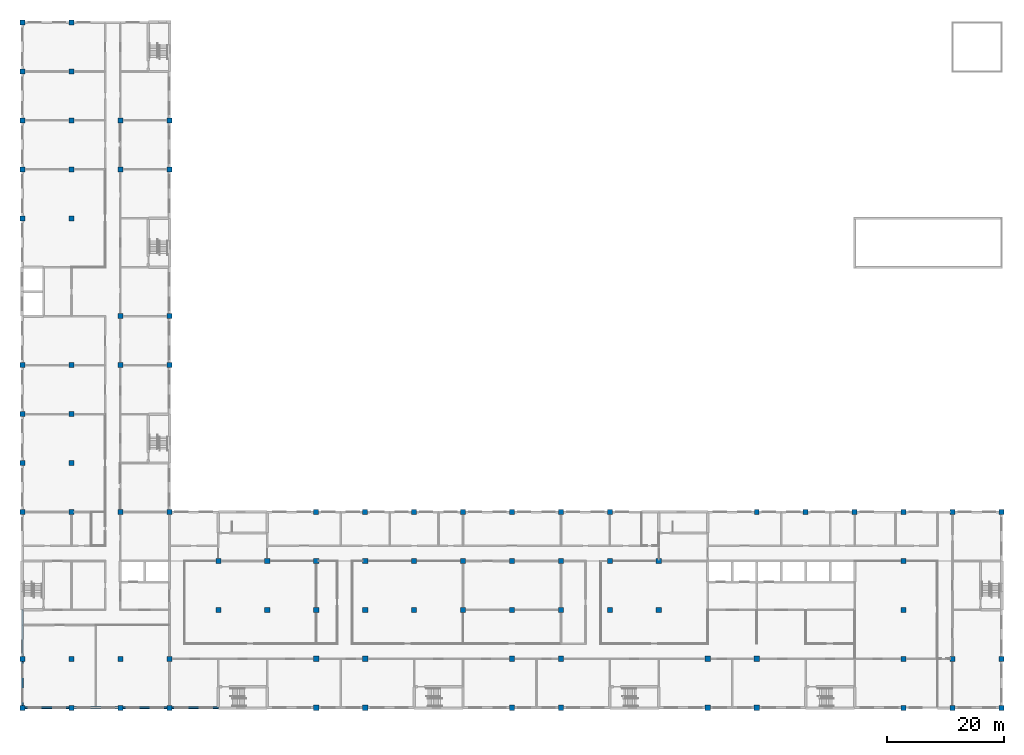
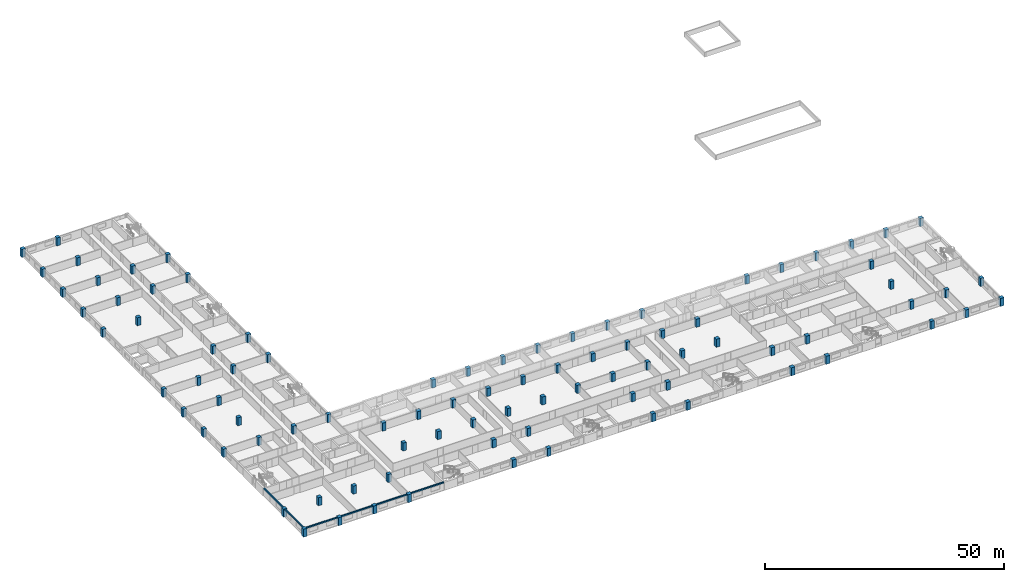
# One storey, part 1 of 48: 89 columns, 6 beams.
"""IFC4 building model written with IfcOpenShell, lengths in metres."""

from ifc_helpers import new_model, si_unit, direction, frame, origin, origin_2d, place, context, subcontext, project, spatial, rectangle, extrude, material, material_profile, profile_set, type_object, element, save


model = new_model("IFC4")

# Units and contexts
model_context = context("Model", 3, precision=1e-05, world=origin(), true_north=direction((0.0, 1.0)))
body_context = subcontext(model_context, "Body", "Model", "MODEL_VIEW")
ifc_project = project(units=[si_unit("LENGTHUNIT", "METRE"), si_unit("AREAUNIT", "SQUARE_METRE"), si_unit("VOLUMEUNIT", "CUBIC_METRE"), si_unit("PLANEANGLEUNIT", "RADIAN"), si_unit("MASSUNIT", "GRAM", prefix="KILO")], contexts=[model_context])

# Site, building, storey
site_placement = place(None, origin())
site = spatial("IfcSite", under=ifc_project, at=site_placement, CompositionType="ELEMENT")
building_placement = place(site_placement, origin())
building = spatial("IfcBuilding", under=site, at=building_placement, Name="Yavir Park General Hospital", CompositionType="ELEMENT")
storey_placement = place(building_placement, frame((0.0, 0.0, 12.89990234375)))
storey = spatial("IfcBuildingStorey", under=building, at=storey_placement, Name="I02", CompositionType="ELEMENT", Elevation=12.89990234375)

# Columns
ifc_material_1 = material(Name="Concrete C40/50", Category="concrete")
ifc_material_profile_1 = material_profile(ifc_material_1, rectangle(XDim=0.85009765625, YDim=0.85009765625, at=origin_2d()), Name="RC850x850")
ifc_profile_set_1 = profile_set([ifc_material_profile_1], Name="Concrete C40/50")
column_type_1 = type_object("IfcColumnType", Name="RC COLUMN 850x850", PredefinedType="COLUMN", material=ifc_profile_set_1)
for number, where, z_axis, x_axis, name in (
    (1, (0.0, 0.0, 0.0), (0.0, 0.0, 1.0), (1.0, 0.0, 0.0), "C:I02:1A"),
    (2, (8.39990234375, 0.0, 0.0), (0.0, 0.0, 1.0), (1.0, 0.0, 0.0), "C:I02:2A"),
    (3, (16.800048828125, 0.0, 0.0), (0.0, 0.0, 1.0), (1.0, 0.0, 0.0), "C:I02:3A"),
    (4, (25.199951171875, 0.0, 0.0), (0.0, 0.0, 1.0), (1.0, 0.0, 0.0), "C:I02:4A"),
    (5, (151.199951171875, 0.0, 0.0), (0.0, 0.0, 1.0), (1.0, 0.0, 0.0), "C:I02:19A"),
    (6, (159.60009765625, 0.0, 0.0), (0.0, 0.0, 1.0), (1.0, 0.0, 0.0), "C:I02:20A"),
    (7, (168.0, 0.0, 0.0), (0.0, 0.0, 1.0), (1.0, 0.0, 0.0), "C:I02:21A"),
    (8, (0.0, 8.39990234375, 0.0), (0.0, 0.0, 1.0), (1.0, 0.0, 0.0), "C:I02:1B"),
    (9, (8.39990234375, 8.39990234375, 0.0), (0.0, 0.0, 1.0), (1.0, 0.0, 0.0), "C:I02:2B"),
    (10, (16.800048828125, 8.39990234375, 0.0), (0.0, 0.0, 1.0), (1.0, 0.0, 0.0), "C:I02:3B"),
    (11, (25.199951171875, 8.39990234375, 0.0), (0.0, 0.0, 1.0), (1.0, 0.0, 0.0), "C:I02:4B"),
    (12, (151.199951171875, 8.39990234375, 0.0), (0.0, 0.0, 1.0), (1.0, 0.0, 0.0), "C:I02:19B"),
    (13, (159.60009765625, 8.39990234375, 0.0), (0.0, 0.0, 1.0), (1.0, 0.0, 0.0), "C:I02:20B"),
    (14, (168.0, 8.39990234375, 0.0), (0.0, 0.0, 1.0), (1.0, 0.0, 0.0), "C:I02:21B"),
    (15, (33.60009765625, 16.800048828125, 0.0), (0.0, 0.0, 1.0), (1.0, 0.0, 0.0), "C:I02:5C"),
    (16, (151.199951171875, 16.800048828125, 0.0), (0.0, 0.0, 1.0), (1.0, 0.0, 0.0), "C:I02:19C"),
    (17, (151.199951171875, 25.199951171875, 0.0), (0.0, 0.0, 1.0), (1.0, 0.0, 0.0), "C:I02:19D"),
    (18, (0.0, 33.60009765625, 0.0), (0.0, 0.0, 1.0), (1.0, 0.0, 0.0), "C:I02:1E"),
    (19, (8.39990234375, 33.60009765625, 0.0), (0.0, 0.0, 1.0), (1.0, 0.0, 0.0), "C:I02:2E"),
    (20, (16.800048828125, 33.60009765625, 0.0), (0.0, 0.0, 1.0), (1.0, 0.0, 0.0), "C:I02:3E"),
    (21, (25.199951171875, 33.60009765625, 0.0), (0.0, 0.0, 1.0), (1.0, 0.0, 0.0), "C:I02:4E"),
    (22, (50.39990234375, 33.60009765625, 0.0), (0.0, 0.0, 1.0), (1.0, 0.0, 0.0), "C:I02:7E"),
    (23, (58.800048828125, 33.60009765625, 0.0), (0.0, 0.0, 1.0), (1.0, 0.0, 0.0), "C:I02:8E"),
    (24, (67.199951171875, 33.60009765625, 0.0), (0.0, 0.0, 1.0), (1.0, 0.0, 0.0), "C:I02:9E"),
    (25, (75.60009765625, 33.60009765625, 0.0), (0.0, 0.0, 1.0), (1.0, 0.0, 0.0), "C:I02:10E"),
    (26, (84.0, 33.60009765625, 0.0), (0.0, 0.0, 1.0), (1.0, 0.0, 0.0), "C:I02:11E"),
    (27, (92.39990234375, 33.60009765625, 0.0), (0.0, 0.0, 1.0), (1.0, 0.0, 0.0), "C:I02:12E"),
    (28, (100.800048828125, 33.60009765625, 0.0), (0.0, 0.0, 1.0), (1.0, 0.0, 0.0), "C:I02:13E"),
    (29, (126.0, 33.60009765625, 0.0), (0.0, 0.0, 1.0), (1.0, 0.0, 0.0), "C:I02:16E"),
    (30, (134.39990234375, 33.60009765625, 0.0), (0.0, 0.0, 1.0), (1.0, 0.0, 0.0), "C:I02:17E"),
    (31, (142.800048828125, 33.60009765625, 0.0), (0.0, 0.0, 1.0), (1.0, 0.0, 0.0), "C:I02:18E"),
    (32, (151.199951171875, 33.60009765625, 0.0), (0.0, 0.0, 1.0), (1.0, 0.0, 0.0), "C:I02:19E"),
    (33, (159.60009765625, 33.60009765625, 0.0), (0.0, 0.0, 1.0), (1.0, 0.0, 0.0), "C:I02:20E"),
    (34, (168.0, 33.60009765625, 0.0), (0.0, 0.0, 1.0), (1.0, 0.0, 0.0), "C:I02:21E"),
    (35, (0.0, 42.0, 0.0), (0.0, 0.0, 1.0), (1.0, 0.0, 0.0), "C:I02:1F"),
    (36, (8.39990234375, 42.0, 0.0), (0.0, 0.0, 1.0), (1.0, 0.0, 0.0), "C:I02:2F"),
    (37, (0.0, 50.39990234375, 0.0), (0.0, 0.0, 1.0), (1.0, 0.0, 0.0), "C:I02:1G"),
    (38, (8.39990234375, 50.39990234375, 0.0), (0.0, 0.0, 1.0), (1.0, 0.0, 0.0), "C:I02:2G"),
    (39, (0.0, 58.800048828125, 0.0), (0.0, 0.0, 1.0), (1.0, 0.0, 0.0), "C:I02:1H"),
    (40, (8.39990234375, 58.800048828125, 0.0), (0.0, 0.0, 1.0), (1.0, 0.0, 0.0), "C:I02:2H"),
    (41, (16.800048828125, 58.800048828125, 0.0), (0.0, 0.0, 1.0), (1.0, 0.0, 0.0), "C:I02:3H"),
    (42, (25.199951171875, 58.800048828125, 0.0), (0.0, 0.0, 1.0), (1.0, 0.0, 0.0), "C:I02:4H"),
    (43, (16.800048828125, 67.199951171875, 0.0), (0.0, 0.0, 1.0), (1.0, 0.0, 0.0), "C:I02:3J"),
    (44, (25.199951171875, 67.199951171875, 0.0), (0.0, 0.0, 1.0), (1.0, 0.0, 0.0), "C:I02:4J"),
    (45, (0.0, 84.0, 0.0), (0.0, 0.0, 1.0), (1.0, 0.0, 0.0), "C:I02:1L"),
    (46, (8.39990234375, 84.0, 0.0), (0.0, 0.0, 1.0), (1.0, 0.0, 0.0), "C:I02:2L"),
    (47, (0.0, 92.39990234375, 0.0), (0.0, 0.0, 1.0), (1.0, 0.0, 0.0), "C:I02:1M"),
    (48, (8.39990234375, 92.39990234375, 0.0), (0.0, 0.0, 1.0), (1.0, 0.0, 0.0), "C:I02:2M"),
    (49, (16.800048828125, 92.39990234375, 0.0), (0.0, 0.0, 1.0), (1.0, 0.0, 0.0), "C:I02:3M"),
    (50, (25.199951171875, 92.39990234375, 0.0), (0.0, 0.0, 1.0), (1.0, 0.0, 0.0), "C:I02:4M"),
    (51, (0.0, 100.800048828125, 0.0), (0.0, 0.0, 1.0), (1.0, 0.0, 0.0), "C:I02:1N"),
    (52, (8.39990234375, 100.800048828125, 0.0), (0.0, 0.0, 1.0), (1.0, 0.0, 0.0), "C:I02:2N"),
    (53, (16.800048828125, 100.800048828125, 0.0), (0.0, 0.0, 1.0), (1.0, 0.0, 0.0), "C:I02:3N"),
    (54, (25.199951171875, 100.800048828125, 0.0), (0.0, 0.0, 1.0), (1.0, 0.0, 0.0), "C:I02:4N"),
    (55, (0.0, 109.199951171875, 0.0), (0.0, 0.0, 1.0), (1.0, 0.0, 0.0), "C:I02:1P"),
    (56, (8.39990234375, 109.199951171875, 0.0), (0.0, 0.0, 1.0), (1.0, 0.0, 0.0), "C:I02:2P"),
    (57, (0.0, 117.60009765625, 0.0), (0.0, 0.0, 1.0), (1.0, 0.0, 0.0), "C:I02:1Q"),
    (58, (8.39990234375, 117.60009765625, 0.0), (0.0, 0.0, 1.0), (1.0, 0.0, 0.0), "C:I02:2Q"),
    (59, (33.60009765625, 25.199951171875, 0.0), (0.0, 0.0, 1.0), (1.0, 0.0, 0.0), "C:I02:5D"),
):
    element("IfcColumn", number, at=place(storey_placement, frame(where, z_axis=z_axis, x_axis=x_axis)), inside=storey, type_object=column_type_1, Name=name, PredefinedType="COLUMN", context=body_context, shape_type="SweptSolid", body=[
        extrude(rectangle(XDim=0.85009765625, YDim=0.85009765625, at=origin_2d()), origin(), (0.0, 0.0, 1.0), 2.0400390625),
    ])
ifc_material_2 = material(Name="Concrete C40/50", Category="concrete")
ifc_material_profile_2 = material_profile(ifc_material_2, rectangle(XDim=0.89990234375, YDim=0.89990234375, at=origin_2d()), Name="RC900x900")
ifc_profile_set_2 = profile_set([ifc_material_profile_2], Name="Concrete C40/50")
column_type_2 = type_object("IfcColumnType", Name="RC COLUMN 900x900", PredefinedType="COLUMN", material=ifc_profile_set_2)
for number, where, z_axis, x_axis, name in (
    (60, (50.39990234375, 0.0, 0.0), (0.0, 0.0, 1.0), (1.0, 0.0, 0.0), "C:I02:7A"),
    (61, (58.800048828125, 0.0, 0.0), (0.0, 0.0, 1.0), (1.0, 0.0, 0.0), "C:I02:8A"),
    (62, (84.0, 0.0, 0.0), (0.0, 0.0, 1.0), (1.0, 0.0, 0.0), "C:I02:11A"),
    (63, (92.39990234375, 0.0, 0.0), (0.0, 0.0, 1.0), (1.0, 0.0, 0.0), "C:I02:12A"),
    (64, (117.60009765625, 0.0, 0.0), (0.0, 0.0, 1.0), (1.0, 0.0, 0.0), "C:I02:15A"),
    (65, (126.0, 0.0, 0.0), (0.0, 0.0, 1.0), (1.0, 0.0, 0.0), "C:I02:16A"),
    (66, (50.39990234375, 8.39990234375, 0.0), (0.0, 0.0, 1.0), (1.0, 0.0, 0.0), "C:I02:7B"),
    (67, (58.800048828125, 8.39990234375, 0.0), (0.0, 0.0, 1.0), (1.0, 0.0, 0.0), "C:I02:8B"),
    (68, (84.0, 8.39990234375, 0.0), (0.0, 0.0, 1.0), (1.0, 0.0, 0.0), "C:I02:11B"),
    (69, (92.39990234375, 8.39990234375, 0.0), (0.0, 0.0, 1.0), (1.0, 0.0, 0.0), "C:I02:12B"),
    (70, (117.60009765625, 8.39990234375, 0.0), (0.0, 0.0, 1.0), (1.0, 0.0, 0.0), "C:I02:15B"),
    (71, (126.0, 8.39990234375, 0.0), (0.0, 0.0, 1.0), (1.0, 0.0, 0.0), "C:I02:16B"),
    (72, (42.0, 16.800048828125, 0.0), (0.0, 0.0, 1.0), (1.0, 0.0, 0.0), "C:I02:6C"),
    (73, (50.39990234375, 16.800048828125, 0.0), (0.0, 0.0, 1.0), (1.0, 0.0, 0.0), "C:I02:7C"),
    (74, (58.800048828125, 16.800048828125, 0.0), (0.0, 0.0, 1.0), (1.0, 0.0, 0.0), "C:I02:8C"),
    (75, (67.199951171875, 16.800048828125, 0.0), (0.0, 0.0, 1.0), (1.0, 0.0, 0.0), "C:I02:9C"),
    (76, (75.60009765625, 16.800048828125, 0.0), (0.0, 0.0, 1.0), (1.0, 0.0, 0.0), "C:I02:10C"),
    (77, (84.0, 16.800048828125, 0.0), (0.0, 0.0, 1.0), (1.0, 0.0, 0.0), "C:I02:11C"),
    (78, (92.39990234375, 16.800048828125, 0.0), (0.0, 0.0, 1.0), (1.0, 0.0, 0.0), "C:I02:12C"),
    (79, (100.800048828125, 16.800048828125, 0.0), (0.0, 0.0, 1.0), (1.0, 0.0, 0.0), "C:I02:13C"),
    (80, (109.199951171875, 16.800048828125, 0.0), (0.0, 0.0, 1.0), (1.0, 0.0, 0.0), "C:I02:14C"),
    (81, (50.39990234375, 25.199951171875, 0.0), (0.0, 0.0, 1.0), (1.0, 0.0, 0.0), "C:I02:7D"),
    (82, (58.800048828125, 25.199951171875, 0.0), (0.0, 0.0, 1.0), (1.0, 0.0, 0.0), "C:I02:8D"),
    (83, (67.199951171875, 25.199951171875, 0.0), (0.0, 0.0, 1.0), (1.0, 0.0, 0.0), "C:I02:9D"),
    (84, (75.60009765625, 25.199951171875, 0.0), (0.0, 0.0, 1.0), (1.0, 0.0, 0.0), "C:I02:10D"),
    (85, (84.0, 25.199951171875, 0.0), (0.0, 0.0, 1.0), (1.0, 0.0, 0.0), "C:I02:11D"),
    (86, (92.39990234375, 25.199951171875, 0.0), (0.0, 0.0, 1.0), (1.0, 0.0, 0.0), "C:I02:12D"),
    (87, (100.800048828125, 25.199951171875, 0.0), (0.0, 0.0, 1.0), (1.0, 0.0, 0.0), "C:I02:13D"),
    (88, (42.0, 25.199951171875, 0.0), (0.0, 0.0, 1.0), (1.0, 0.0, 0.0), "C:I02:6D"),
    (89, (109.199951171875, 25.199951171875, 0.0), (0.0, 0.0, 1.0), (1.0, 0.0, 0.0), "C:I02:14D"),
):
    element("IfcColumn", number, at=place(storey_placement, frame(where, z_axis=z_axis, x_axis=x_axis)), inside=storey, type_object=column_type_2, Name=name, PredefinedType="COLUMN", context=body_context, shape_type="SweptSolid", body=[
        extrude(rectangle(XDim=0.89990234375, YDim=0.89990234375, at=origin_2d()), origin(), (0.0, 0.0, 1.0), 2.0400390625),
    ])

# Beams
ifc_material_3 = material(Name="Concrete C35/45", Category="concrete")
ifc_material_profile_3 = material_profile(ifc_material_3, rectangle(XDim=0.300048828125, YDim=0.300048828125, at=origin_2d()), Name="RC300x300")
ifc_profile_set_3 = profile_set([ifc_material_profile_3], Name="Concrete C35/45")
beam_type = type_object("IfcBeamType", Name="RC BEAM 300x300 edge beam", PredefinedType="BEAM", material=ifc_profile_set_3)
for number, where, z_axis, x_axis, name in (
    (90, (0.425048828125, 0.0, 1.89013671875), (1.0, 0.0, 0.0), (0.0, 1.0, 0.0), "B:EDGE:I02:001"),
    (91, (8.824951171875, 0.0, 1.89013671875), (1.0, 0.0, 0.0), (0.0, 1.0, 0.0), "B:EDGE:I02:002"),
):
    element("IfcBeam", number, at=place(storey_placement, frame(where, z_axis=z_axis, x_axis=x_axis)), inside=storey, type_object=beam_type, Name=name, PredefinedType="BEAM", context=body_context, shape_type="SweptSolid", body=[
        extrude(rectangle(XDim=0.300048828125, YDim=0.300048828125, at=origin_2d()), origin(), (0.0, 0.0, 1.0), 7.550048828125),
    ])
beam_1_placement = place(storey_placement, frame((17.22509765625, 0.0, 1.89013671875), z_axis=(1.0, 0.0, 0.0), x_axis=(0.0, 1.0, 0.0)))
element("IfcBeam", 92, at=beam_1_placement, inside=storey, type_object=beam_type, Name="B:EDGE:I02:003", PredefinedType="BEAM", context=body_context, shape_type="SweptSolid", body=[
    extrude(rectangle(XDim=0.300048828125, YDim=0.300048828125, at=origin_2d()), origin(), (0.0, 0.0, 1.0), 7.5498046875),
])
beam_2_placement = place(storey_placement, frame((25.625, 0.0, 1.89013671875), z_axis=(1.0, 0.0, 0.0), x_axis=(0.0, 1.0, 0.0)))
element("IfcBeam", 93, at=beam_2_placement, inside=storey, type_object=beam_type, Name="B:EDGE:I02:004", PredefinedType="BEAM", context=body_context, shape_type="SweptSolid", body=[
    extrude(rectangle(XDim=0.300048828125, YDim=0.300048828125, at=origin_2d()), origin(), (0.0, 0.0, 1.0), 7.97509765625),
])
beam_3_placement = place(storey_placement, frame((0.0, 0.425048828125, 1.89013671875), z_axis=(0.0, 1.0, 0.0), x_axis=(-1.0, 0.0, 0.0)))
element("IfcBeam", 94, at=beam_3_placement, inside=storey, type_object=beam_type, Name="B:EDGE:I02:031", PredefinedType="BEAM", context=body_context, shape_type="SweptSolid", body=[
    extrude(rectangle(XDim=0.300048828125, YDim=0.300048828125, at=origin_2d()), origin(), (0.0, 0.0, 1.0), 7.550048828125),
])
beam_4_placement = place(storey_placement, frame((0.0, 8.824951171875, 1.89013671875), z_axis=(0.0, 1.0, 0.0), x_axis=(-1.0, 0.0, 0.0)))
element("IfcBeam", 95, at=beam_4_placement, inside=storey, type_object=beam_type, Name="B:EDGE:I02:032", PredefinedType="BEAM", context=body_context, shape_type="SweptSolid", body=[
    extrude(rectangle(XDim=0.300048828125, YDim=0.300048828125, at=origin_2d()), origin(), (0.0, 0.0, 1.0), 7.97509765625),
])

save(model, "model.ifc")
